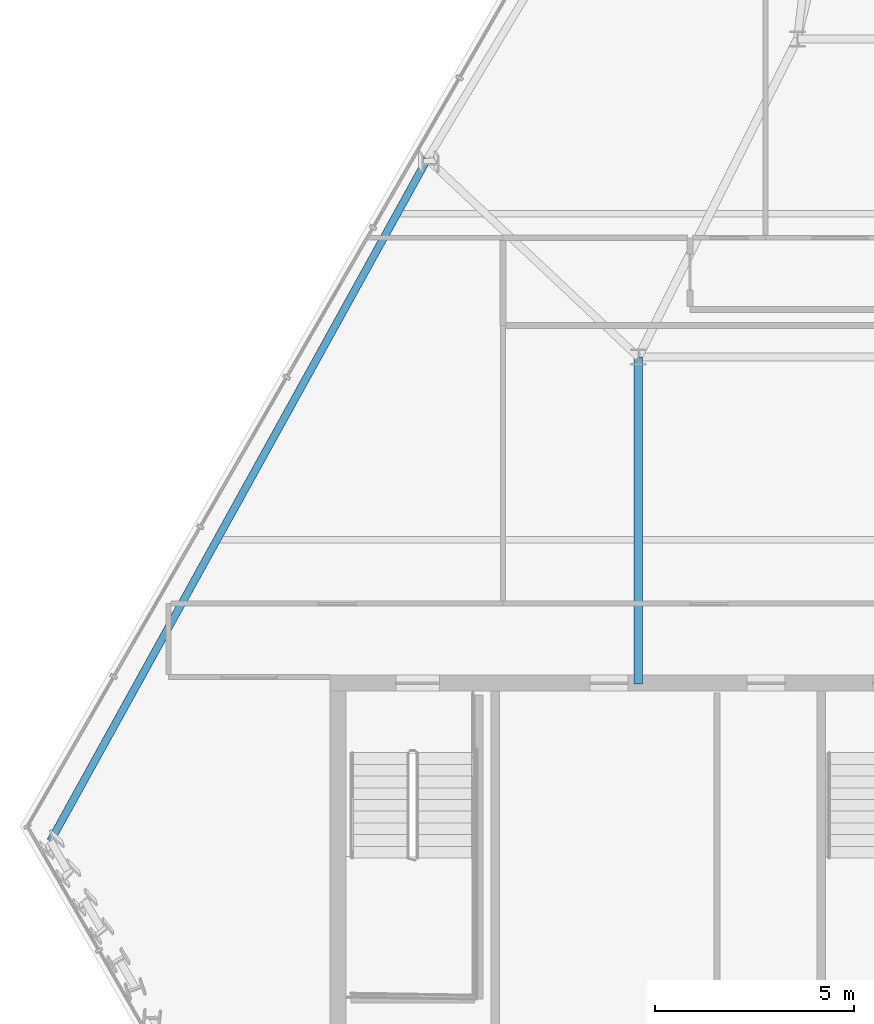
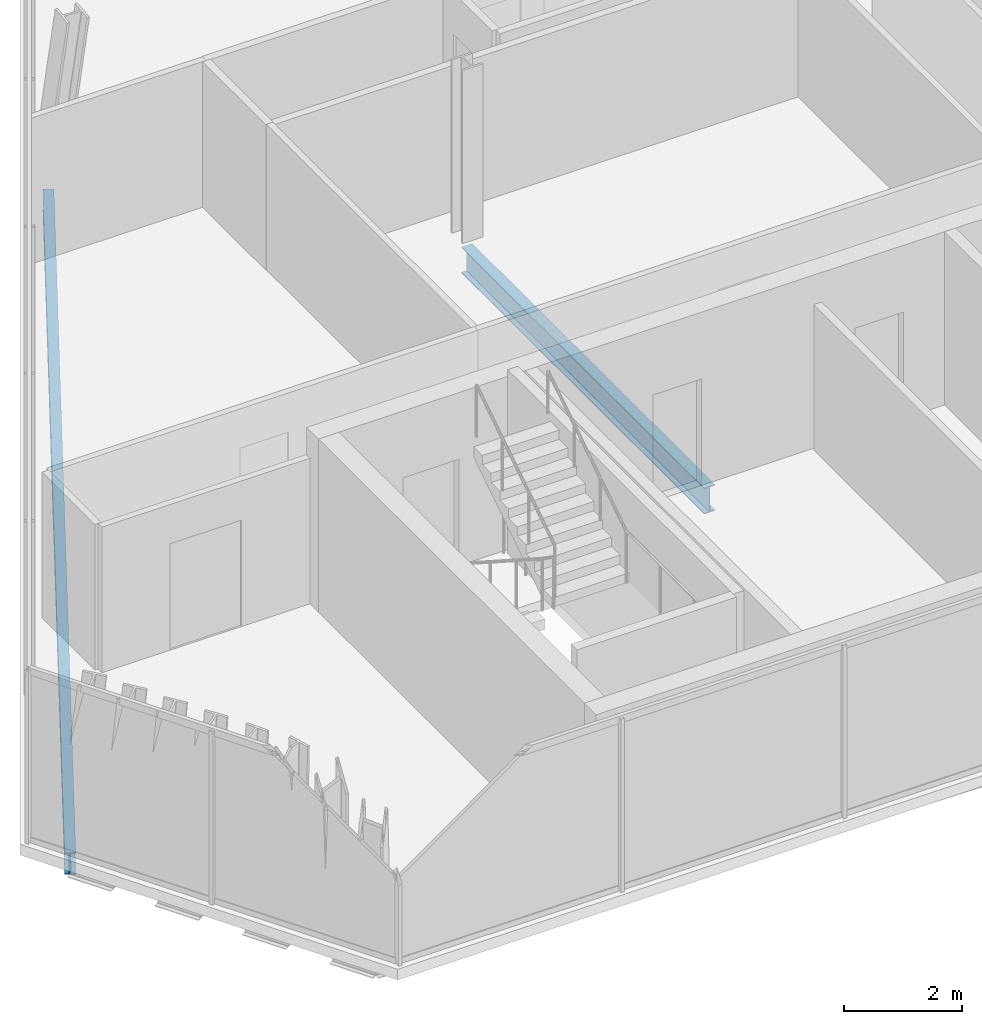
# One storey, part 5 of 29: 2 beams.
"""IFC4 building model written with IfcOpenShell, lengths in metres."""

from ifc_helpers import new_model, si_unit, direction, frame, origin, origin_2d, place, context, subcontext, project, spatial, i_section, extrude, material, material_profile, profile_set, type_object, element, save


model = new_model("IFC4")

# Units and contexts
model_context = context("Model", 3, precision=1e-05, world=origin(), true_north=direction((0.0, 1.0)))
body_context = subcontext(model_context, "Body", "Model", "MODEL_VIEW")
ifc_project = project(units=[si_unit("LENGTHUNIT", "METRE"), si_unit("AREAUNIT", "SQUARE_METRE"), si_unit("VOLUMEUNIT", "CUBIC_METRE"), si_unit("PLANEANGLEUNIT", "RADIAN"), si_unit("MASSUNIT", "GRAM", prefix="KILO")], contexts=[model_context])

# Site, building, storey
site_placement = place(None, origin())
site = spatial("IfcSite", under=ifc_project, at=site_placement, CompositionType="ELEMENT")
building_placement = place(site_placement, origin())
building = spatial("IfcBuilding", under=site, at=building_placement, Name="Ndaravel Arena Tower", CompositionType="ELEMENT")
storey_placement = place(building_placement, frame((0.0, 0.0, 237.0)))
storey = spatial("IfcBuildingStorey", under=building, at=storey_placement, Name="L57", CompositionType="ELEMENT", Elevation=237.0)

# Beams
ifc_material_1 = material(Name="Steel S355", Category="steel")
ifc_material_profile_1 = material_profile(ifc_material_1, i_section(OverallWidth=0.210693359375, OverallDepth=0.53955078125, WebThickness=0.01171875, FlangeThickness=0.018798828125, FilletRadius=0.0126953125, at=origin_2d()), Name="UB 533x210x109")
ifc_profile_set_1 = profile_set([ifc_material_profile_1], Name="Steel S355")
beam_type_1 = type_object("IfcBeamType", Name="BM-GIRD-UB533", PredefinedType="BEAM", material=ifc_profile_set_1)
beam_1_placement = place(storey_placement, frame((34.199951171875, 14.97998046875, -0.48974609375), z_axis=(0.0, 1.0, 0.0), x_axis=(-1.0, 0.0, 0.0)))
element("IfcBeam", 1, at=beam_1_placement, inside=storey, type_object=beam_type_1, Name="L57 Spine Link Girder SLG-01", PredefinedType="BEAM", context=body_context, shape_type="SweptSolid", body=[
    extrude(i_section(OverallWidth=0.210693359375, OverallDepth=0.53955078125, WebThickness=0.01171875, FlangeThickness=0.018798828125, FilletRadius=0.0126953125, at=origin_2d()), origin(), (0.0, 0.0, 1.0), 8.219970703125),
])
ifc_material_2 = material(Name="Steel S355", Category="steel")
ifc_material_profile_2 = material_profile(ifc_material_2, i_section(OverallWidth=0.18994140625, OverallDepth=0.449951171875, WebThickness=0.009521484375, FlangeThickness=0.0146484375, FilletRadius=0.02099609375, at=origin_2d()), Name="IPE 450")
ifc_profile_set_2 = profile_set([ifc_material_profile_2], Name="Steel S355")
beam_type_2 = type_object("IfcBeamType", Name="BM-SPAN-IPE450", PredefinedType="SPANDREL", material=ifc_profile_set_2)
beam_2_placement = place(storey_placement, frame((28.89306640625, 28.181884765625, -0.445068359375), z_axis=(-0.483575124361, -0.875302861357, 0.0), x_axis=(0.875302861357, -0.483575124361, 0.0)))
element("IfcBeam", 2, at=beam_2_placement, inside=storey, type_object=beam_type_2, Name="L57 Perimeter Spandrel Beam SP-19", PredefinedType="SPANDREL", context=body_context, shape_type="SweptSolid", body=[
    extrude(i_section(OverallWidth=0.18994140625, OverallDepth=0.449951171875, WebThickness=0.009521484375, FlangeThickness=0.0146484375, FilletRadius=0.02099609375, at=origin_2d()), origin(), (0.0, 0.0, 1.0), 19.600830078125),
])

save(model, "model.ifc")
